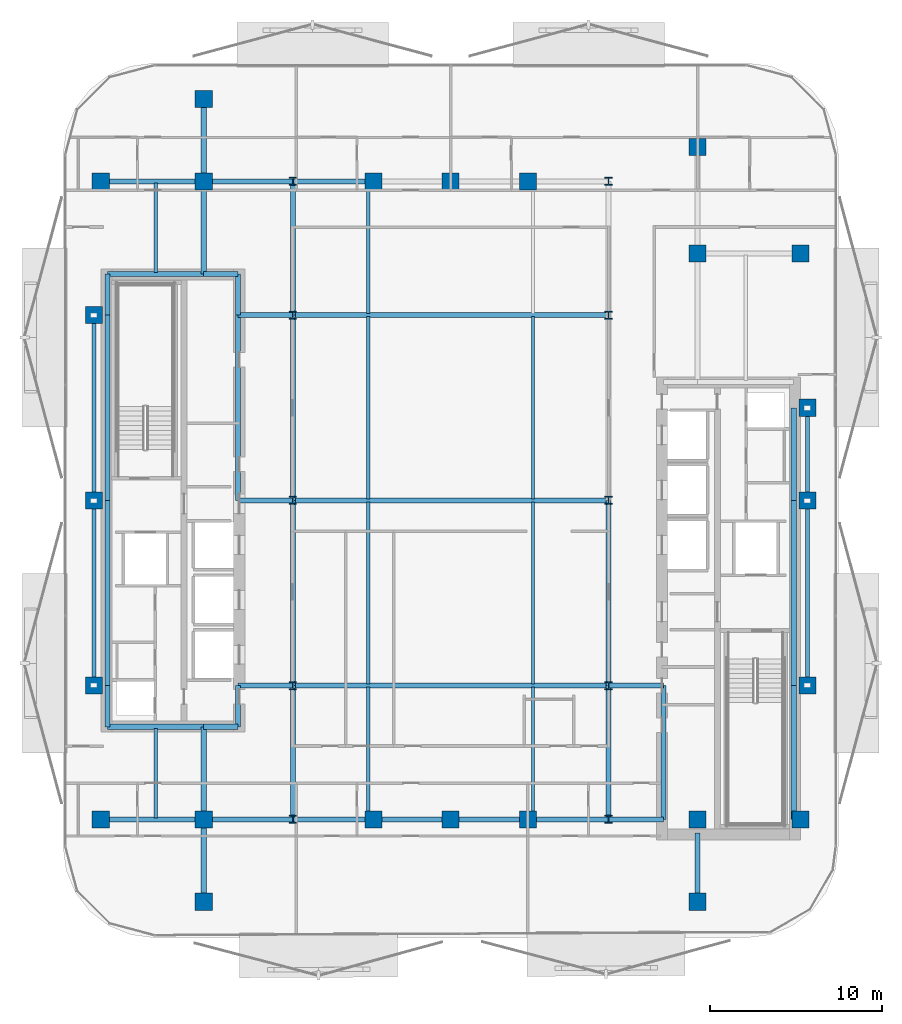
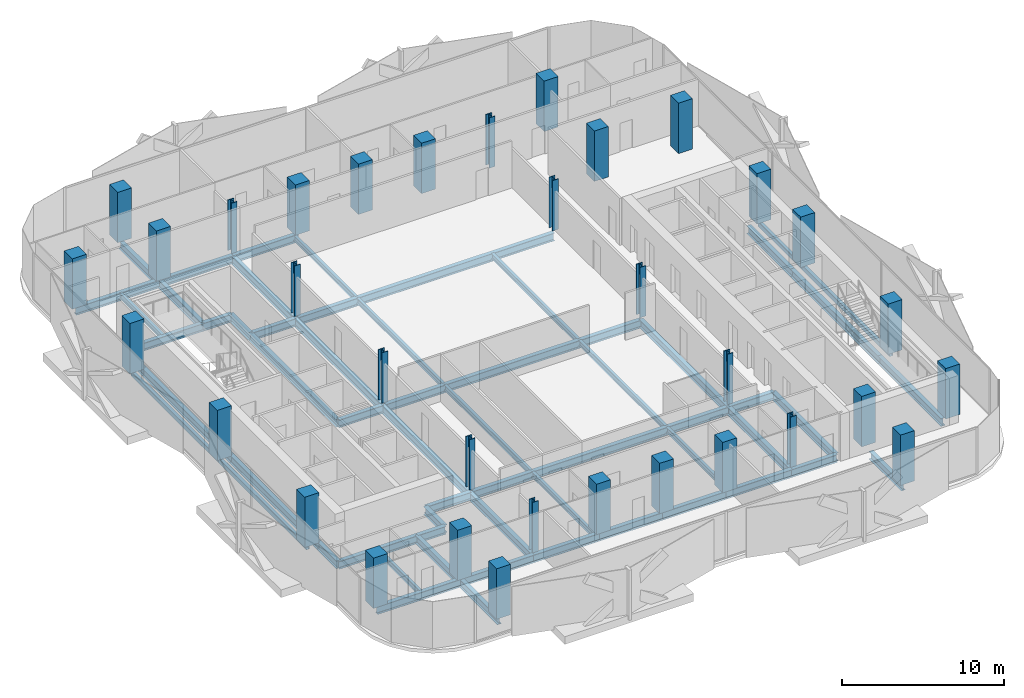
# One storey, part 1 of 17: 56 beams, 34 columns.
"""IFC4 building model written with IfcOpenShell, lengths in metres."""

import ifcopenshell
import ifcopenshell.guid

model = None  # the IFC model being written
_history = None  # IfcOwnerHistory: only IFC2X3 demands one
_inside = {}  # id of a spatial element -> (the spatial element, [elements in it])
_under = {}  # id of a project, library or spatial element -> (it, [spatial elements below it])
_declared = {}  # id of a project -> (the project, [libraries it declares])
_typed = {}  # id of a type object -> (the type object, [elements of that type])
_made_of = {}  # id of a material, layer set ... -> (it, [elements and type objects made of it])


def new_model(schema):
    """Start an empty IFC model of exactly this schema.

    Asked for "IFC4X3", IfcOpenShell would pick the latest addendum, in which some entities
    have other attributes; the version numbers below select the first issue.
    IFC2X3 requires an IfcOwnerHistory on every rooted entity: one is made here for all.
    """
    global model, _history
    if schema == "IFC4X3":
        model = ifcopenshell.file(schema_version=(4, 3, 0, 0))
    else:
        model = ifcopenshell.file(schema=schema)
    _inside.clear()
    _under.clear()
    _declared.clear()
    _typed.clear()
    _made_of.clear()
    _history = None
    if model.schema == "IFC2X3":
        org = make("IfcOrganization", Name="unknown")
        user = make(
            "IfcPersonAndOrganization",
            ThePerson=make("IfcPerson", FamilyName="unknown"),
            TheOrganization=org,
        )
        app = make(
            "IfcApplication",
            ApplicationDeveloper=org,
            Version="unknown",
            ApplicationFullName="unknown",
            ApplicationIdentifier="unknown",
        )
        _history = make(
            "IfcOwnerHistory",
            OwningUser=user,
            OwningApplication=app,
            ChangeAction="ADDED",
            CreationDate=0,
        )
    return model


def make(cls, **values):
    """One entity of the class cls with the attributes given. An attribute that is None is left unset."""
    return model.create_entity(
        cls, **{name: value for name, value in values.items() if value is not None}
    )


def rooted(cls, **values):
    """An entity with a GlobalId (a new one), such as an element, a storey or a relation."""
    return make(cls, GlobalId=ifcopenshell.guid.new(), OwnerHistory=_history, **values)


def si_unit(unit_type, name, prefix=None):
    """IfcSIUnit, for example si_unit("LENGTHUNIT", "METRE", prefix="MILLI")."""
    return make("IfcSIUnit", UnitType=unit_type, Prefix=prefix, Name=name)


def assignment(units):
    """IfcUnitAssignment: the units of a project."""
    return None if units is None else make("IfcUnitAssignment", Units=units)


def point(xyz):
    """IfcCartesianPoint."""
    return None if xyz is None else make("IfcCartesianPoint", Coordinates=xyz)


def direction(xyz):
    """IfcDirection."""
    return None if xyz is None else make("IfcDirection", DirectionRatios=xyz)


def frame(location, z_axis=None, x_axis=None):
    """IfcAxis2Placement3D, a coordinate frame: its origin and axes. An axis left out is left unset."""
    return make(
        "IfcAxis2Placement3D",
        Location=point(location),
        Axis=direction(z_axis),
        RefDirection=direction(x_axis),
    )


def frame_2d(location, x_axis=None):
    """IfcAxis2Placement2D, a coordinate frame in the plane: its origin and x axis."""
    return make(
        "IfcAxis2Placement2D", Location=point(location), RefDirection=direction(x_axis)
    )


def origin():
    """The frame at (0, 0, 0) with its axes left unset."""
    return frame((0.0, 0.0, 0.0))


def origin_2d():
    """The frame at (0, 0) in the plane with its x axis left unset."""
    return frame_2d((0.0, 0.0))


def place(relative_to, where):
    """IfcLocalPlacement: puts the frame where relative to a parent placement (None: the world)."""
    return make(
        "IfcLocalPlacement", PlacementRelTo=relative_to, RelativePlacement=where
    )


def context(
    kind, dimensions, precision=None, world=None, true_north=None, identifier=None
):
    """IfcGeometricRepresentationContext, for example the 3D "Model" context."""
    return make(
        "IfcGeometricRepresentationContext",
        ContextIdentifier=identifier,
        ContextType=kind,
        CoordinateSpaceDimension=dimensions,
        Precision=precision,
        WorldCoordinateSystem=world,
        TrueNorth=true_north,
    )


def subcontext(parent, identifier, kind, view, scale=None):
    """IfcGeometricRepresentationSubContext, for example "Body" below "Model"."""
    return make(
        "IfcGeometricRepresentationSubContext",
        ContextIdentifier=identifier,
        ContextType=kind,
        ParentContext=parent,
        TargetScale=scale,
        TargetView=view,
    )


def project(units=None, contexts=None):
    """IfcProject with its units and contexts."""
    return rooted(
        "IfcProject",
        Name="project",
        RepresentationContexts=contexts,
        UnitsInContext=assignment(units),
    )


def spatial(cls, under=None, at=None, **own):
    """A site, building, storey or space (cls), placed at a placement, below another one or the project."""
    s = rooted(cls, ObjectPlacement=at, **own)
    if under is not None:
        _under.setdefault(under.id(), (under, []))[1].append(s)
    return s


def profile(cls, at=None, kind="AREA", **sizes):
    """A parametric profile (cls). Its sizes go by their IFC names, for example OverallWidth=200.0."""
    return make(cls, ProfileType=kind, Position=at, **sizes)


def rectangle(**sizes):
    """IfcRectangleProfileDef."""
    return profile("IfcRectangleProfileDef", **sizes)


def hollow_rectangle(**sizes):
    """IfcRectangleHollowProfileDef."""
    return profile("IfcRectangleHollowProfileDef", **sizes)


def i_section(**sizes):
    """IfcIShapeProfileDef."""
    return profile("IfcIShapeProfileDef", **sizes)


def extrude(swept, where, along, depth):
    """IfcExtrudedAreaSolid: the profile swept, set in the frame where, extruded along a direction by depth."""
    return make(
        "IfcExtrudedAreaSolid",
        SweptArea=swept,
        Position=where,
        ExtrudedDirection=direction(along),
        Depth=depth,
    )


def shape(context_of_items, identifier, shape_type, items):
    """IfcShapeRepresentation: the items that make up one representation, for example the "Body"."""
    return make(
        "IfcShapeRepresentation",
        ContextOfItems=context_of_items,
        RepresentationIdentifier=identifier,
        RepresentationType=shape_type,
        Items=items,
    )


def material(Name=None, Category=None):
    """IfcMaterial."""
    return make("IfcMaterial", Name=Name, Category=Category)


def material_profile(
    of_material, cross_section, Name=None, Category=None, Priority=None
):
    """IfcMaterialProfile: a cross section and its material."""
    return make(
        "IfcMaterialProfile",
        Name=Name,
        Material=of_material,
        Profile=cross_section,
        Priority=Priority,
        Category=Category,
    )


def profile_set(profiles, Name=None, composite=None):
    """IfcMaterialProfileSet."""
    return make(
        "IfcMaterialProfileSet",
        Name=Name,
        MaterialProfiles=profiles,
        CompositeProfile=composite,
    )


def made_of(thing, what):
    """Note that an element or type object is made of a material, layer set ...; save() writes the relation."""
    if what is not None:
        _made_of.setdefault(what.id(), (what, []))[1].append(thing)
    return thing


def type_object(cls, material=None, **own):
    """A type object (cls), such as IfcWallType, which elements share."""
    return made_of(rooted(cls, **own), material)


def element(
    cls,
    number,
    at=None,
    inside=None,
    cuts=None,
    type_object=None,
    material=None,
    context=None,
    identifier="Body",
    shape_type=None,
    held_by="IfcProductDefinitionShape",
    body=None,
    shapes=None,
    **own,
):
    """One element of the class cls, such as IfcWall. Its Tag is "e" and its number.

    at: its placement. inside: the storey or other place that contains it. cuts: it is an
    opening in that element (IfcRelVoidsElement). A single representation is given by context,
    identifier, shape_type and body (its items); several are given by shapes. held_by: the class
    of the entity that holds the representations. save() writes the other relations.
    """
    e = rooted(cls, Tag="e%d" % number, ObjectPlacement=at, **own)
    if body is not None:
        shapes = [shape(context, identifier, shape_type, body)]
    if shapes is not None:
        e.Representation = make(held_by, Representations=shapes)
    if inside is not None:
        _inside.setdefault(inside.id(), (inside, []))[1].append(e)
    if cuts is not None:
        rooted(
            "IfcRelVoidsElement", RelatingBuildingElement=cuts, RelatedOpeningElement=e
        )
    if type_object is not None:
        _typed.setdefault(type_object.id(), (type_object, []))[1].append(e)
    return made_of(e, material)


def aggregate(whole, parts):
    """IfcRelAggregates: a whole, such as a stair, and the parts it consists of."""
    return rooted("IfcRelAggregates", RelatingObject=whole, RelatedObjects=parts)


def save(model, path):
    """Write the relations noted so far, then the file.

    IfcRelAggregates (storeys below a building ...), IfcRelContainedInSpatialStructure (elements
    in a storey), IfcRelDefinesByType, IfcRelAssociatesMaterial and IfcRelDeclares: one each for
    every whole, place, type object, material and project.
    """
    for whole, parts in _under.values():
        aggregate(whole, parts)
    for where, things in _inside.values():
        rooted(
            "IfcRelContainedInSpatialStructure",
            RelatedElements=things,
            RelatingStructure=where,
        )
    for kind, things in _typed.values():
        rooted("IfcRelDefinesByType", RelatedObjects=things, RelatingType=kind)
    for what, things in _made_of.values():
        rooted("IfcRelAssociatesMaterial", RelatedObjects=things, RelatingMaterial=what)
    for by, libraries in _declared.values():
        rooted("IfcRelDeclares", RelatingContext=by, RelatedDefinitions=libraries)
    model.write(path)


model = new_model("IFC4")

# Units and contexts
model_context = context("Model", 3, precision=1e-05, world=origin(), true_north=direction((0.0, 1.0)))
body_context = subcontext(model_context, "Body", "Model", "MODEL_VIEW")
ifc_project = project(units=[si_unit("LENGTHUNIT", "METRE"), si_unit("AREAUNIT", "SQUARE_METRE"), si_unit("VOLUMEUNIT", "CUBIC_METRE"), si_unit("PLANEANGLEUNIT", "RADIAN"), si_unit("MASSUNIT", "GRAM", prefix="KILO")], contexts=[model_context])

# Site, building, storey
site_placement = place(None, origin())
site = spatial("IfcSite", under=ifc_project, at=site_placement, CompositionType="ELEMENT")
building_placement = place(site_placement, origin())
building = spatial("IfcBuilding", under=site, at=building_placement, Name="Khairoan Windgate Tower", CompositionType="ELEMENT")
storey_placement = place(building_placement, frame((0.0, 0.0, 199.199951171875)))
storey = spatial("IfcBuildingStorey", under=building, at=storey_placement, Name="L46", CompositionType="ELEMENT", Elevation=199.199951171875)

# Columns
ifc_material_1 = material(Name="Concrete C50/60", Category="concrete")
ifc_material_profile_1 = material_profile(ifc_material_1, rectangle(XDim=1.0, YDim=1.0, at=origin_2d()))
ifc_profile_set_1 = profile_set([ifc_material_profile_1], Name="Concrete C50/60")
column_type_1 = type_object("IfcColumnType", Name="Column C-T4 RC1000x1000", PredefinedType="COLUMN", material=ifc_profile_set_1)
for number, where, z_axis, x_axis, name in (
    (1, (-20.39990234375, -18.60009765625, 0.0), (0.0, 0.0, 1.0), (1.0, 0.0, 0.0), "Column L46-11"),
    (2, (-20.39990234375, 18.60009765625, 0.0), (0.0, 0.0, 1.0), (1.0, 0.0, 0.0), "Column L46-12"),
    (3, (20.39990234375, -18.60009765625, 0.0), (0.0, 0.0, 1.0), (1.0, 0.0, 0.0), "Column L46-13"),
    (4, (20.39990234375, 14.39990234375, 0.0), (0.0, 0.0, 1.0), (1.0, 0.0, 0.0), "Column L46-14"),
    (5, (-14.39990234375, -18.60009765625, 0.0), (0.0, 0.0, 1.0), (1.0, 0.0, 0.0), "Column L46-15"),
    (6, (-14.39990234375, 18.60009765625, 0.0), (0.0, 0.0, 1.0), (1.0, 0.0, 0.0), "Column L46-16"),
    (7, (14.39990234375, -18.60009765625, 0.0), (0.0, 0.0, 1.0), (1.0, 0.0, 0.0), "Column L46-17"),
    (8, (14.39990234375, 14.39990234375, 0.0), (0.0, 0.0, 1.0), (1.0, 0.0, 0.0), "Column L46-18"),
    (9, (-4.5, -18.60009765625, 0.0), (0.0, 0.0, 1.0), (1.0, 0.0, 0.0), "Column L46-19"),
    (10, (0.0, -18.60009765625, 0.0), (0.0, 0.0, 1.0), (1.0, 0.0, 0.0), "Column L46-20"),
    (11, (4.5, -18.60009765625, 0.0), (0.0, 0.0, 1.0), (1.0, 0.0, 0.0), "Column L46-21"),
    (12, (-4.5, 18.60009765625, 0.0), (0.0, 0.0, 1.0), (1.0, 0.0, 0.0), "Column L46-22"),
    (13, (0.0, 18.60009765625, 0.0), (0.0, 0.0, 1.0), (1.0, 0.0, 0.0), "Column L46-23"),
    (14, (4.5, 18.60009765625, 0.0), (0.0, 0.0, 1.0), (1.0, 0.0, 0.0), "Column L46-24"),
    (15, (-20.800048828125, -10.800048828125, 0.0), (0.0, 0.0, 1.0), (1.0, 0.0, 0.0), "Column L46-25"),
    (16, (-20.800048828125, 0.0, 0.0), (0.0, 0.0, 1.0), (1.0, 0.0, 0.0), "Column L46-26"),
    (17, (-20.800048828125, 10.800048828125, 0.0), (0.0, 0.0, 1.0), (1.0, 0.0, 0.0), "Column L46-27"),
    (18, (20.800048828125, -10.800048828125, 0.0), (0.0, 0.0, 1.0), (1.0, 0.0, 0.0), "Column L46-28"),
    (19, (20.800048828125, 0.0, 0.0), (0.0, 0.0, 1.0), (1.0, 0.0, 0.0), "Column L46-29"),
    (20, (20.800048828125, 5.39990234375, 0.0), (0.0, 0.0, 1.0), (1.0, 0.0, 0.0), "Column L46-30"),
    (21, (-14.39990234375, -23.39990234375, 0.0), (0.0, 0.0, 1.0), (1.0, 0.0, 0.0), "Column L46-31"),
    (22, (-14.39990234375, 23.39990234375, 0.0), (0.0, 0.0, 1.0), (1.0, 0.0, 0.0), "Column L46-32"),
    (23, (14.39990234375, -23.39990234375, 0.0), (0.0, 0.0, 1.0), (1.0, 0.0, 0.0), "Column L46-33"),
    (24, (14.39990234375, 20.60009765625, 0.0), (0.0, 0.0, 1.0), (1.0, 0.0, 0.0), "Column L46-34"),
):
    element("IfcColumn", number, at=place(storey_placement, frame(where, z_axis=z_axis, x_axis=x_axis)), inside=storey, type_object=column_type_1, Name=name, PredefinedType="COLUMN", context=body_context, shape_type="SweptSolid", body=[
        extrude(rectangle(XDim=1.0, YDim=1.0, at=origin_2d()), origin(), (0.0, 0.0, 1.0), 3.800048828125),
    ])
ifc_material_2 = material(Name="Steel S355", Category="steel")
ifc_material_profile_2 = material_profile(ifc_material_2, i_section(OverallWidth=0.4169921875, OverallDepth=0.4580078125, WebThickness=0.030029296875, FlangeThickness=0.050048828125, FilletRadius=0.02197265625, at=origin_2d()))
ifc_profile_set_2 = profile_set([ifc_material_profile_2], Name="Steel S355")
column_type_2 = type_object("IfcColumnType", Name="Steel Column SC2 H458x417x30x50", PredefinedType="COLUMN", material=ifc_profile_set_2)
for number, where, z_axis, x_axis, name in (
    (25, (-9.199951171875, -18.60009765625, 0.0), (0.0, 0.0, 1.0), (1.0, 0.0, 0.0), "Column L46-01"),
    (26, (-9.199951171875, -10.800048828125, 0.0), (0.0, 0.0, 1.0), (1.0, 0.0, 0.0), "Column L46-02"),
    (27, (-9.199951171875, 0.0, 0.0), (0.0, 0.0, 1.0), (1.0, 0.0, 0.0), "Column L46-03"),
    (28, (-9.199951171875, 10.800048828125, 0.0), (0.0, 0.0, 1.0), (1.0, 0.0, 0.0), "Column L46-04"),
    (29, (-9.199951171875, 18.60009765625, 0.0), (0.0, 0.0, 1.0), (1.0, 0.0, 0.0), "Column L46-05"),
    (30, (9.199951171875, -18.60009765625, 0.0), (0.0, 0.0, 1.0), (1.0, 0.0, 0.0), "Column L46-06"),
    (31, (9.199951171875, -10.800048828125, 0.0), (0.0, 0.0, 1.0), (1.0, 0.0, 0.0), "Column L46-07"),
    (32, (9.199951171875, 0.0, 0.0), (0.0, 0.0, 1.0), (1.0, 0.0, 0.0), "Column L46-08"),
    (33, (9.199951171875, 10.800048828125, 0.0), (0.0, 0.0, 1.0), (1.0, 0.0, 0.0), "Column L46-09"),
    (34, (9.199951171875, 18.60009765625, 0.0), (0.0, 0.0, 1.0), (1.0, 0.0, 0.0), "Column L46-10"),
):
    element("IfcColumn", number, at=place(storey_placement, frame(where, z_axis=z_axis, x_axis=x_axis)), inside=storey, type_object=column_type_2, Name=name, PredefinedType="COLUMN", context=body_context, shape_type="SweptSolid", body=[
        extrude(i_section(OverallWidth=0.4169921875, OverallDepth=0.4580078125, WebThickness=0.030029296875, FlangeThickness=0.050048828125, FilletRadius=0.02197265625, at=origin_2d()), origin(), (0.0, 0.0, 1.0), 3.800048828125),
    ])

# Beams
ifc_material_3 = material(Name="Steel S355", Category="steel")
ifc_material_profile_3 = material_profile(ifc_material_3, i_section(OverallWidth=0.300048828125, OverallDepth=0.587890625, WebThickness=0.011962890625, FlangeThickness=0.02001953125, FilletRadius=0.02392578125, at=origin_2d()))
ifc_profile_set_3 = profile_set([ifc_material_profile_3], Name="Steel S355")
beam_type_1 = type_object("IfcBeamType", Name="Beam B-G4 H588x300x12x20", PredefinedType="BEAM", material=ifc_profile_set_3)
beam_1_placement = place(storey_placement, frame((-20.39990234375, -18.60009765625, -0.553955078125), z_axis=(1.0, 0.0, 0.0), x_axis=(0.0, 1.0, 0.0)))
element("IfcBeam", 35, at=beam_1_placement, inside=storey, type_object=beam_type_1, Name="L46 E-W Primary Girder 01", PredefinedType="BEAM", context=body_context, shape_type="SweptSolid", body=[
    extrude(i_section(OverallWidth=0.300048828125, OverallDepth=0.587890625, WebThickness=0.011962890625, FlangeThickness=0.02001953125, FilletRadius=0.02392578125, at=origin_2d()), origin(), (0.0, 0.0, 1.0), 6.0),
])
beam_2_placement = place(storey_placement, frame((-14.39990234375, -18.60009765625, -0.553955078125), z_axis=(1.0, 0.0, 0.0), x_axis=(0.0, 1.0, 0.0)))
element("IfcBeam", 36, at=beam_2_placement, inside=storey, type_object=beam_type_1, Name="L46 E-W Primary Girder 02", PredefinedType="BEAM", context=body_context, shape_type="SweptSolid", body=[
    extrude(i_section(OverallWidth=0.300048828125, OverallDepth=0.587890625, WebThickness=0.011962890625, FlangeThickness=0.02001953125, FilletRadius=0.02392578125, at=origin_2d()), origin(), (0.0, 0.0, 1.0), 5.199951171875),
])
beam_3_placement = place(storey_placement, frame((-9.199951171875, -18.60009765625, -0.553955078125), z_axis=(1.0, 0.0, 0.0), x_axis=(0.0, 1.0, 0.0)))
element("IfcBeam", 37, at=beam_3_placement, inside=storey, type_object=beam_type_1, Name="L46 E-W Primary Girder 03", PredefinedType="BEAM", context=body_context, shape_type="SweptSolid", body=[
    extrude(i_section(OverallWidth=0.300048828125, OverallDepth=0.587890625, WebThickness=0.011962890625, FlangeThickness=0.02001953125, FilletRadius=0.02392578125, at=origin_2d()), origin(), (0.0, 0.0, 1.0), 4.699951171875),
])
for number, where, z_axis, x_axis, name in (
    (38, (-4.5, -18.60009765625, -0.553955078125), (1.0, 0.0, 0.0), (0.0, 1.0, 0.0), "L46 E-W Primary Girder 04"),
    (39, (0.0, -18.60009765625, -0.553955078125), (1.0, 0.0, 0.0), (0.0, 1.0, 0.0), "L46 E-W Primary Girder 05"),
):
    element("IfcBeam", number, at=place(storey_placement, frame(where, z_axis=z_axis, x_axis=x_axis)), inside=storey, type_object=beam_type_1, Name=name, PredefinedType="BEAM", context=body_context, shape_type="SweptSolid", body=[
        extrude(i_section(OverallWidth=0.300048828125, OverallDepth=0.587890625, WebThickness=0.011962890625, FlangeThickness=0.02001953125, FilletRadius=0.02392578125, at=origin_2d()), origin(), (0.0, 0.0, 1.0), 4.5),
    ])
beam_4_placement = place(storey_placement, frame((4.5, -18.60009765625, -0.553955078125), z_axis=(1.0, 0.0, 0.0), x_axis=(0.0, 1.0, 0.0)))
element("IfcBeam", 40, at=beam_4_placement, inside=storey, type_object=beam_type_1, Name="L46 E-W Primary Girder 06", PredefinedType="BEAM", context=body_context, shape_type="SweptSolid", body=[
    extrude(i_section(OverallWidth=0.300048828125, OverallDepth=0.587890625, WebThickness=0.011962890625, FlangeThickness=0.02001953125, FilletRadius=0.02392578125, at=origin_2d()), origin(), (0.0, 0.0, 1.0), 4.699951171875),
])
beam_5_placement = place(storey_placement, frame((9.199951171875, -18.60009765625, -0.553955078125), z_axis=(1.0, 0.0, 0.0), x_axis=(0.0, 1.0, 0.0)))
element("IfcBeam", 41, at=beam_5_placement, inside=storey, type_object=beam_type_1, Name="L46 E-W Primary Girder 07", PredefinedType="BEAM", context=body_context, shape_type="SweptSolid", body=[
    extrude(i_section(OverallWidth=0.300048828125, OverallDepth=0.587890625, WebThickness=0.011962890625, FlangeThickness=0.02001953125, FilletRadius=0.02392578125, at=origin_2d()), origin(), (0.0, 0.0, 1.0), 3.199951171875),
])
beam_6_placement = place(storey_placement, frame((-20.0, -13.199951171875, -0.553955078125), z_axis=(1.0, 0.0, 0.0), x_axis=(0.0, 1.0, 0.0)))
element("IfcBeam", 42, at=beam_6_placement, inside=storey, type_object=beam_type_1, Name="L46 E-W Primary Girder 08", PredefinedType="BEAM", context=body_context, shape_type="SweptSolid", body=[
    extrude(i_section(OverallWidth=0.300048828125, OverallDepth=0.587890625, WebThickness=0.011962890625, FlangeThickness=0.02001953125, FilletRadius=0.02392578125, at=origin_2d()), origin(), (0.0, 0.0, 1.0), 5.60009765625),
])
beam_7_placement = place(storey_placement, frame((-14.39990234375, -13.199951171875, -0.553955078125), z_axis=(1.0, 0.0, 0.0), x_axis=(0.0, 1.0, 0.0)))
element("IfcBeam", 43, at=beam_7_placement, inside=storey, type_object=beam_type_1, Name="L46 E-W Primary Girder 09", PredefinedType="BEAM", context=body_context, shape_type="SweptSolid", body=[
    extrude(i_section(OverallWidth=0.300048828125, OverallDepth=0.587890625, WebThickness=0.011962890625, FlangeThickness=0.02001953125, FilletRadius=0.02392578125, at=origin_2d()), origin(), (0.0, 0.0, 1.0), 2.0),
])
beam_8_placement = place(storey_placement, frame((-12.39990234375, -10.800048828125, -0.553955078125), z_axis=(1.0, 0.0, 0.0), x_axis=(0.0, 1.0, 0.0)))
element("IfcBeam", 44, at=beam_8_placement, inside=storey, type_object=beam_type_1, Name="L46 E-W Primary Girder 10", PredefinedType="BEAM", context=body_context, shape_type="SweptSolid", body=[
    extrude(i_section(OverallWidth=0.300048828125, OverallDepth=0.587890625, WebThickness=0.011962890625, FlangeThickness=0.02001953125, FilletRadius=0.02392578125, at=origin_2d()), origin(), (0.0, 0.0, 1.0), 3.199951171875),
])
beam_9_placement = place(storey_placement, frame((-9.199951171875, -10.800048828125, -0.553955078125), z_axis=(1.0, 0.0, 0.0), x_axis=(0.0, 1.0, 0.0)))
element("IfcBeam", 45, at=beam_9_placement, inside=storey, type_object=beam_type_1, Name="L46 E-W Primary Girder 11", PredefinedType="BEAM", context=body_context, shape_type="SweptSolid", body=[
    extrude(i_section(OverallWidth=0.300048828125, OverallDepth=0.587890625, WebThickness=0.011962890625, FlangeThickness=0.02001953125, FilletRadius=0.02392578125, at=origin_2d()), origin(), (0.0, 0.0, 1.0), 18.39990234375),
])
for number, where, z_axis, x_axis, name in (
    (46, (9.199951171875, -10.800048828125, -0.553955078125), (1.0, 0.0, 0.0), (0.0, 1.0, 0.0), "L46 E-W Primary Girder 12"),
    (47, (-12.39990234375, 0.0, -0.553955078125), (1.0, 0.0, 0.0), (0.0, 1.0, 0.0), "L46 E-W Primary Girder 13"),
):
    element("IfcBeam", number, at=place(storey_placement, frame(where, z_axis=z_axis, x_axis=x_axis)), inside=storey, type_object=beam_type_1, Name=name, PredefinedType="BEAM", context=body_context, shape_type="SweptSolid", body=[
        extrude(i_section(OverallWidth=0.300048828125, OverallDepth=0.587890625, WebThickness=0.011962890625, FlangeThickness=0.02001953125, FilletRadius=0.02392578125, at=origin_2d()), origin(), (0.0, 0.0, 1.0), 3.199951171875),
    ])
beam_10_placement = place(storey_placement, frame((-9.199951171875, 0.0, -0.553955078125), z_axis=(1.0, 0.0, 0.0), x_axis=(0.0, 1.0, 0.0)))
element("IfcBeam", 48, at=beam_10_placement, inside=storey, type_object=beam_type_1, Name="L46 E-W Primary Girder 14", PredefinedType="BEAM", context=body_context, shape_type="SweptSolid", body=[
    extrude(i_section(OverallWidth=0.300048828125, OverallDepth=0.587890625, WebThickness=0.011962890625, FlangeThickness=0.02001953125, FilletRadius=0.02392578125, at=origin_2d()), origin(), (0.0, 0.0, 1.0), 18.39990234375),
])
beam_11_placement = place(storey_placement, frame((-12.39990234375, 10.800048828125, -0.553955078125), z_axis=(1.0, 0.0, 0.0), x_axis=(0.0, 1.0, 0.0)))
element("IfcBeam", 49, at=beam_11_placement, inside=storey, type_object=beam_type_1, Name="L46 E-W Primary Girder 17", PredefinedType="BEAM", context=body_context, shape_type="SweptSolid", body=[
    extrude(i_section(OverallWidth=0.300048828125, OverallDepth=0.587890625, WebThickness=0.011962890625, FlangeThickness=0.02001953125, FilletRadius=0.02392578125, at=origin_2d()), origin(), (0.0, 0.0, 1.0), 3.199951171875),
])
beam_12_placement = place(storey_placement, frame((-9.199951171875, 10.800048828125, -0.553955078125), z_axis=(1.0, 0.0, 0.0), x_axis=(0.0, 1.0, 0.0)))
element("IfcBeam", 50, at=beam_12_placement, inside=storey, type_object=beam_type_1, Name="L46 E-W Primary Girder 18", PredefinedType="BEAM", context=body_context, shape_type="SweptSolid", body=[
    extrude(i_section(OverallWidth=0.300048828125, OverallDepth=0.587890625, WebThickness=0.011962890625, FlangeThickness=0.02001953125, FilletRadius=0.02392578125, at=origin_2d()), origin(), (0.0, 0.0, 1.0), 18.39990234375),
])
beam_13_placement = place(storey_placement, frame((-20.0, 13.199951171875, -0.553955078125), z_axis=(1.0, 0.0, 0.0), x_axis=(0.0, 1.0, 0.0)))
element("IfcBeam", 51, at=beam_13_placement, inside=storey, type_object=beam_type_1, Name="L46 E-W Primary Girder 19", PredefinedType="BEAM", context=body_context, shape_type="SweptSolid", body=[
    extrude(i_section(OverallWidth=0.300048828125, OverallDepth=0.587890625, WebThickness=0.011962890625, FlangeThickness=0.02001953125, FilletRadius=0.02392578125, at=origin_2d()), origin(), (0.0, 0.0, 1.0), 5.60009765625),
])
beam_14_placement = place(storey_placement, frame((-14.39990234375, 13.199951171875, -0.553955078125), z_axis=(1.0, 0.0, 0.0), x_axis=(0.0, 1.0, 0.0)))
element("IfcBeam", 52, at=beam_14_placement, inside=storey, type_object=beam_type_1, Name="L46 E-W Primary Girder 20", PredefinedType="BEAM", context=body_context, shape_type="SweptSolid", body=[
    extrude(i_section(OverallWidth=0.300048828125, OverallDepth=0.587890625, WebThickness=0.011962890625, FlangeThickness=0.02001953125, FilletRadius=0.02392578125, at=origin_2d()), origin(), (0.0, 0.0, 1.0), 2.0),
])
beam_15_placement = place(storey_placement, frame((-20.39990234375, 18.60009765625, -0.553955078125), z_axis=(1.0, 0.0, 0.0), x_axis=(0.0, 1.0, 0.0)))
element("IfcBeam", 53, at=beam_15_placement, inside=storey, type_object=beam_type_1, Name="L46 E-W Primary Girder 22", PredefinedType="BEAM", context=body_context, shape_type="SweptSolid", body=[
    extrude(i_section(OverallWidth=0.300048828125, OverallDepth=0.587890625, WebThickness=0.011962890625, FlangeThickness=0.02001953125, FilletRadius=0.02392578125, at=origin_2d()), origin(), (0.0, 0.0, 1.0), 6.0),
])
beam_16_placement = place(storey_placement, frame((-14.39990234375, 18.60009765625, -0.553955078125), z_axis=(1.0, 0.0, 0.0), x_axis=(0.0, 1.0, 0.0)))
element("IfcBeam", 54, at=beam_16_placement, inside=storey, type_object=beam_type_1, Name="L46 E-W Primary Girder 23", PredefinedType="BEAM", context=body_context, shape_type="SweptSolid", body=[
    extrude(i_section(OverallWidth=0.300048828125, OverallDepth=0.587890625, WebThickness=0.011962890625, FlangeThickness=0.02001953125, FilletRadius=0.02392578125, at=origin_2d()), origin(), (0.0, 0.0, 1.0), 5.199951171875),
])
beam_17_placement = place(storey_placement, frame((-9.199951171875, 18.60009765625, -0.553955078125), z_axis=(1.0, 0.0, 0.0), x_axis=(0.0, 1.0, 0.0)))
element("IfcBeam", 55, at=beam_17_placement, inside=storey, type_object=beam_type_1, Name="L46 E-W Primary Girder 24", PredefinedType="BEAM", context=body_context, shape_type="SweptSolid", body=[
    extrude(i_section(OverallWidth=0.300048828125, OverallDepth=0.587890625, WebThickness=0.011962890625, FlangeThickness=0.02001953125, FilletRadius=0.02392578125, at=origin_2d()), origin(), (0.0, 0.0, 1.0), 4.699951171875),
])
beam_18_placement = place(storey_placement, frame((-20.0, -13.199951171875, -0.553955078125), z_axis=(0.0, 1.0, 0.0), x_axis=(-1.0, 0.0, 0.0)))
element("IfcBeam", 56, at=beam_18_placement, inside=storey, type_object=beam_type_1, Name="L46 N-S Primary Beam 30", PredefinedType="BEAM", context=body_context, shape_type="SweptSolid", body=[
    extrude(i_section(OverallWidth=0.300048828125, OverallDepth=0.587890625, WebThickness=0.011962890625, FlangeThickness=0.02001953125, FilletRadius=0.02392578125, at=origin_2d()), origin(), (0.0, 0.0, 1.0), 2.39990234375),
])
for number, where, z_axis, x_axis, name in (
    (57, (-20.0, -10.800048828125, -0.553955078125), (0.0, 1.0, 0.0), (-1.0, 0.0, 0.0), "L46 N-S Primary Beam 31"),
    (58, (-20.0, 0.0, -0.553955078125), (0.0, 1.0, 0.0), (-1.0, 0.0, 0.0), "L46 N-S Primary Beam 32"),
):
    element("IfcBeam", number, at=place(storey_placement, frame(where, z_axis=z_axis, x_axis=x_axis)), inside=storey, type_object=beam_type_1, Name=name, PredefinedType="BEAM", context=body_context, shape_type="SweptSolid", body=[
        extrude(i_section(OverallWidth=0.300048828125, OverallDepth=0.587890625, WebThickness=0.011962890625, FlangeThickness=0.02001953125, FilletRadius=0.02392578125, at=origin_2d()), origin(), (0.0, 0.0, 1.0), 10.800048828125),
    ])
beam_19_placement = place(storey_placement, frame((-20.0, 10.800048828125, -0.553955078125), z_axis=(0.0, 1.0, 0.0), x_axis=(-1.0, 0.0, 0.0)))
element("IfcBeam", 59, at=beam_19_placement, inside=storey, type_object=beam_type_1, Name="L46 N-S Primary Beam 33", PredefinedType="BEAM", context=body_context, shape_type="SweptSolid", body=[
    extrude(i_section(OverallWidth=0.300048828125, OverallDepth=0.587890625, WebThickness=0.011962890625, FlangeThickness=0.02001953125, FilletRadius=0.02392578125, at=origin_2d()), origin(), (0.0, 0.0, 1.0), 2.39990234375),
])
beam_20_placement = place(storey_placement, frame((-14.39990234375, -23.39990234375, -0.553955078125), z_axis=(0.0, 1.0, 0.0), x_axis=(-1.0, 0.0, 0.0)))
element("IfcBeam", 60, at=beam_20_placement, inside=storey, type_object=beam_type_1, Name="L46 N-S Primary Beam 34", PredefinedType="BEAM", context=body_context, shape_type="SweptSolid", body=[
    extrude(i_section(OverallWidth=0.300048828125, OverallDepth=0.587890625, WebThickness=0.011962890625, FlangeThickness=0.02001953125, FilletRadius=0.02392578125, at=origin_2d()), origin(), (0.0, 0.0, 1.0), 4.7998046875),
])
for number, where, z_axis, x_axis, name in (
    (61, (-14.39990234375, -18.60009765625, -0.553955078125), (0.0, 1.0, 0.0), (-1.0, 0.0, 0.0), "L46 N-S Primary Beam 35"),
    (62, (-14.39990234375, 13.199951171875, -0.553955078125), (0.0, 1.0, 0.0), (-1.0, 0.0, 0.0), "L46 N-S Primary Beam 36"),
):
    element("IfcBeam", number, at=place(storey_placement, frame(where, z_axis=z_axis, x_axis=x_axis)), inside=storey, type_object=beam_type_1, Name=name, PredefinedType="BEAM", context=body_context, shape_type="SweptSolid", body=[
        extrude(i_section(OverallWidth=0.300048828125, OverallDepth=0.587890625, WebThickness=0.011962890625, FlangeThickness=0.02001953125, FilletRadius=0.02392578125, at=origin_2d()), origin(), (0.0, 0.0, 1.0), 5.400146484375),
    ])
beam_21_placement = place(storey_placement, frame((-14.39990234375, 18.60009765625, -0.553955078125), z_axis=(0.0, 1.0, 0.0), x_axis=(-1.0, 0.0, 0.0)))
element("IfcBeam", 63, at=beam_21_placement, inside=storey, type_object=beam_type_1, Name="L46 N-S Primary Beam 37", PredefinedType="BEAM", context=body_context, shape_type="SweptSolid", body=[
    extrude(i_section(OverallWidth=0.300048828125, OverallDepth=0.587890625, WebThickness=0.011962890625, FlangeThickness=0.02001953125, FilletRadius=0.02392578125, at=origin_2d()), origin(), (0.0, 0.0, 1.0), 4.7998046875),
])
beam_22_placement = place(storey_placement, frame((-12.39990234375, -13.199951171875, -0.553955078125), z_axis=(0.0, 1.0, 0.0), x_axis=(-1.0, 0.0, 0.0)))
element("IfcBeam", 64, at=beam_22_placement, inside=storey, type_object=beam_type_1, Name="L46 N-S Primary Beam 38", PredefinedType="BEAM", context=body_context, shape_type="SweptSolid", body=[
    extrude(i_section(OverallWidth=0.300048828125, OverallDepth=0.587890625, WebThickness=0.011962890625, FlangeThickness=0.02001953125, FilletRadius=0.02392578125, at=origin_2d()), origin(), (0.0, 0.0, 1.0), 2.39990234375),
])
beam_23_placement = place(storey_placement, frame((-12.39990234375, 0.0, -0.553955078125), z_axis=(0.0, 1.0, 0.0), x_axis=(-1.0, 0.0, 0.0)))
element("IfcBeam", 65, at=beam_23_placement, inside=storey, type_object=beam_type_1, Name="L46 N-S Primary Beam 39", PredefinedType="BEAM", context=body_context, shape_type="SweptSolid", body=[
    extrude(i_section(OverallWidth=0.300048828125, OverallDepth=0.587890625, WebThickness=0.011962890625, FlangeThickness=0.02001953125, FilletRadius=0.02392578125, at=origin_2d()), origin(), (0.0, 0.0, 1.0), 10.800048828125),
])
beam_24_placement = place(storey_placement, frame((-12.39990234375, 10.800048828125, -0.553955078125), z_axis=(0.0, 1.0, 0.0), x_axis=(-1.0, 0.0, 0.0)))
element("IfcBeam", 66, at=beam_24_placement, inside=storey, type_object=beam_type_1, Name="L46 N-S Primary Beam 40", PredefinedType="BEAM", context=body_context, shape_type="SweptSolid", body=[
    extrude(i_section(OverallWidth=0.300048828125, OverallDepth=0.587890625, WebThickness=0.011962890625, FlangeThickness=0.02001953125, FilletRadius=0.02392578125, at=origin_2d()), origin(), (0.0, 0.0, 1.0), 2.39990234375),
])
beam_25_placement = place(storey_placement, frame((-9.199951171875, -18.60009765625, -0.553955078125), z_axis=(0.0, 1.0, 0.0), x_axis=(-1.0, 0.0, 0.0)))
element("IfcBeam", 67, at=beam_25_placement, inside=storey, type_object=beam_type_1, Name="L46 N-S Primary Beam 41", PredefinedType="BEAM", context=body_context, shape_type="SweptSolid", body=[
    extrude(i_section(OverallWidth=0.300048828125, OverallDepth=0.587890625, WebThickness=0.011962890625, FlangeThickness=0.02001953125, FilletRadius=0.02392578125, at=origin_2d()), origin(), (0.0, 0.0, 1.0), 7.800048828125),
])
for number, where, z_axis, x_axis, name in (
    (68, (-9.199951171875, -10.800048828125, -0.553955078125), (0.0, 1.0, 0.0), (-1.0, 0.0, 0.0), "L46 N-S Primary Beam 42"),
    (69, (-9.199951171875, 0.0, -0.553955078125), (0.0, 1.0, 0.0), (-1.0, 0.0, 0.0), "L46 N-S Primary Beam 43"),
):
    element("IfcBeam", number, at=place(storey_placement, frame(where, z_axis=z_axis, x_axis=x_axis)), inside=storey, type_object=beam_type_1, Name=name, PredefinedType="BEAM", context=body_context, shape_type="SweptSolid", body=[
        extrude(i_section(OverallWidth=0.300048828125, OverallDepth=0.587890625, WebThickness=0.011962890625, FlangeThickness=0.02001953125, FilletRadius=0.02392578125, at=origin_2d()), origin(), (0.0, 0.0, 1.0), 10.800048828125),
    ])
for number, where, z_axis, x_axis, name in (
    (70, (-9.199951171875, 10.800048828125, -0.553955078125), (0.0, 1.0, 0.0), (-1.0, 0.0, 0.0), "L46 N-S Primary Beam 44"),
    (71, (9.199951171875, -18.60009765625, -0.553955078125), (0.0, 1.0, 0.0), (-1.0, 0.0, 0.0), "L46 N-S Primary Beam 45"),
):
    element("IfcBeam", number, at=place(storey_placement, frame(where, z_axis=z_axis, x_axis=x_axis)), inside=storey, type_object=beam_type_1, Name=name, PredefinedType="BEAM", context=body_context, shape_type="SweptSolid", body=[
        extrude(i_section(OverallWidth=0.300048828125, OverallDepth=0.587890625, WebThickness=0.011962890625, FlangeThickness=0.02001953125, FilletRadius=0.02392578125, at=origin_2d()), origin(), (0.0, 0.0, 1.0), 7.800048828125),
    ])
beam_26_placement = place(storey_placement, frame((9.199951171875, -10.800048828125, -0.553955078125), z_axis=(0.0, 1.0, 0.0), x_axis=(-1.0, 0.0, 0.0)))
element("IfcBeam", 72, at=beam_26_placement, inside=storey, type_object=beam_type_1, Name="L46 N-S Primary Beam 46", PredefinedType="BEAM", context=body_context, shape_type="SweptSolid", body=[
    extrude(i_section(OverallWidth=0.300048828125, OverallDepth=0.587890625, WebThickness=0.011962890625, FlangeThickness=0.02001953125, FilletRadius=0.02392578125, at=origin_2d()), origin(), (0.0, 0.0, 1.0), 10.800048828125),
])
beam_27_placement = place(storey_placement, frame((12.39990234375, -18.60009765625, -0.553955078125), z_axis=(0.0, 1.0, 0.0), x_axis=(-1.0, 0.0, 0.0)))
element("IfcBeam", 73, at=beam_27_placement, inside=storey, type_object=beam_type_1, Name="L46 N-S Primary Beam 49", PredefinedType="BEAM", context=body_context, shape_type="SweptSolid", body=[
    extrude(i_section(OverallWidth=0.300048828125, OverallDepth=0.587890625, WebThickness=0.011962890625, FlangeThickness=0.02001953125, FilletRadius=0.02392578125, at=origin_2d()), origin(), (0.0, 0.0, 1.0), 7.800048828125),
])
beam_28_placement = place(storey_placement, frame((14.39990234375, -23.39990234375, -0.553955078125), z_axis=(0.0, 1.0, 0.0), x_axis=(-1.0, 0.0, 0.0)))
element("IfcBeam", 74, at=beam_28_placement, inside=storey, type_object=beam_type_1, Name="L46 N-S Primary Beam 50", PredefinedType="BEAM", context=body_context, shape_type="SweptSolid", body=[
    extrude(i_section(OverallWidth=0.300048828125, OverallDepth=0.587890625, WebThickness=0.011962890625, FlangeThickness=0.02001953125, FilletRadius=0.02392578125, at=origin_2d()), origin(), (0.0, 0.0, 1.0), 4.0),
])
beam_29_placement = place(storey_placement, frame((20.0, -18.60009765625, -0.553955078125), z_axis=(0.0, 1.0, 0.0), x_axis=(-1.0, 0.0, 0.0)))
element("IfcBeam", 75, at=beam_29_placement, inside=storey, type_object=beam_type_1, Name="L46 N-S Primary Beam 53", PredefinedType="BEAM", context=body_context, shape_type="SweptSolid", body=[
    extrude(i_section(OverallWidth=0.300048828125, OverallDepth=0.587890625, WebThickness=0.011962890625, FlangeThickness=0.02001953125, FilletRadius=0.02392578125, at=origin_2d()), origin(), (0.0, 0.0, 1.0), 7.800048828125),
])
beam_30_placement = place(storey_placement, frame((20.0, -10.800048828125, -0.553955078125), z_axis=(0.0, 1.0, 0.0), x_axis=(-1.0, 0.0, 0.0)))
element("IfcBeam", 76, at=beam_30_placement, inside=storey, type_object=beam_type_1, Name="L46 N-S Primary Beam 54", PredefinedType="BEAM", context=body_context, shape_type="SweptSolid", body=[
    extrude(i_section(OverallWidth=0.300048828125, OverallDepth=0.587890625, WebThickness=0.011962890625, FlangeThickness=0.02001953125, FilletRadius=0.02392578125, at=origin_2d()), origin(), (0.0, 0.0, 1.0), 10.800048828125),
])
beam_31_placement = place(storey_placement, frame((20.0, 0.0, -0.553955078125), z_axis=(0.0, 1.0, 0.0), x_axis=(-1.0, 0.0, 0.0)))
element("IfcBeam", 77, at=beam_31_placement, inside=storey, type_object=beam_type_1, Name="L46 N-S Primary Beam 55", PredefinedType="BEAM", context=body_context, shape_type="SweptSolid", body=[
    extrude(i_section(OverallWidth=0.300048828125, OverallDepth=0.587890625, WebThickness=0.011962890625, FlangeThickness=0.02001953125, FilletRadius=0.02392578125, at=origin_2d()), origin(), (0.0, 0.0, 1.0), 5.39990234375),
])
ifc_material_4 = material(Name="Steel S355", Category="steel")
ifc_material_profile_4 = material_profile(ifc_material_4, i_section(OverallWidth=0.199951171875, OverallDepth=0.39990234375, WebThickness=0.008056640625, FlangeThickness=0.012939453125, FilletRadius=0.01611328125, at=origin_2d()))
ifc_profile_set_4 = profile_set([ifc_material_profile_4], Name="Steel S355")
beam_type_2 = type_object("IfcBeamType", Name="Beam J-S4 H400x200x8x13", PredefinedType="JOIST", material=ifc_profile_set_4)
for number, where, z_axis, x_axis, name in (
    (78, (-17.199951171875, -18.510009765625, -0.4599609375), (0.0, 1.0, 0.0), (-1.0, 0.0, 0.0), "L46 Secondary Floor Joist 01"),
    (79, (-17.199951171875, 13.2900390625, -0.4599609375), (0.0, 1.0, 0.0), (-1.0, 0.0, 0.0), "L46 Secondary Floor Joist 02"),
):
    element("IfcBeam", number, at=place(storey_placement, frame(where, z_axis=z_axis, x_axis=x_axis)), inside=storey, type_object=beam_type_2, Name=name, PredefinedType="JOIST", context=body_context, shape_type="SweptSolid", body=[
        extrude(i_section(OverallWidth=0.199951171875, OverallDepth=0.39990234375, WebThickness=0.008056640625, FlangeThickness=0.012939453125, FilletRadius=0.01611328125, at=origin_2d()), origin(), (0.0, 0.0, 1.0), 5.219970703125),
    ])
beam_32_placement = place(storey_placement, frame((-4.800048828125, -18.510009765625, -0.4599609375), z_axis=(0.0, 1.0, 0.0), x_axis=(-1.0, 0.0, 0.0)))
element("IfcBeam", 80, at=beam_32_placement, inside=storey, type_object=beam_type_2, Name="L46 Secondary Floor Joist 03", PredefinedType="JOIST", context=body_context, shape_type="SweptSolid", body=[
    extrude(i_section(OverallWidth=0.199951171875, OverallDepth=0.39990234375, WebThickness=0.008056640625, FlangeThickness=0.012939453125, FilletRadius=0.01611328125, at=origin_2d()), origin(), (0.0, 0.0, 1.0), 7.6201171875),
])
for number, where, z_axis, x_axis, name in (
    (81, (-4.800048828125, -10.7099609375, -0.4599609375), (0.0, 1.0, 0.0), (-1.0, 0.0, 0.0), "L46 Secondary Floor Joist 04"),
    (82, (-4.800048828125, 0.090087890625, -0.4599609375), (0.0, 1.0, 0.0), (-1.0, 0.0, 0.0), "L46 Secondary Floor Joist 05"),
):
    element("IfcBeam", number, at=place(storey_placement, frame(where, z_axis=z_axis, x_axis=x_axis)), inside=storey, type_object=beam_type_2, Name=name, PredefinedType="JOIST", context=body_context, shape_type="SweptSolid", body=[
        extrude(i_section(OverallWidth=0.199951171875, OverallDepth=0.39990234375, WebThickness=0.008056640625, FlangeThickness=0.012939453125, FilletRadius=0.01611328125, at=origin_2d()), origin(), (0.0, 0.0, 1.0), 10.619873046875),
    ])
for number, where, z_axis, x_axis, name in (
    (83, (-4.800048828125, 10.889892578125, -0.4599609375), (0.0, 1.0, 0.0), (-1.0, 0.0, 0.0), "L46 Secondary Floor Joist 06"),
    (84, (4.800048828125, -18.510009765625, -0.4599609375), (0.0, 1.0, 0.0), (-1.0, 0.0, 0.0), "L46 Secondary Floor Joist 07"),
):
    element("IfcBeam", number, at=place(storey_placement, frame(where, z_axis=z_axis, x_axis=x_axis)), inside=storey, type_object=beam_type_2, Name=name, PredefinedType="JOIST", context=body_context, shape_type="SweptSolid", body=[
        extrude(i_section(OverallWidth=0.199951171875, OverallDepth=0.39990234375, WebThickness=0.008056640625, FlangeThickness=0.012939453125, FilletRadius=0.01611328125, at=origin_2d()), origin(), (0.0, 0.0, 1.0), 7.6201171875),
    ])
for number, where, z_axis, x_axis, name in (
    (85, (4.800048828125, -10.7099609375, -0.4599609375), (0.0, 1.0, 0.0), (-1.0, 0.0, 0.0), "L46 Secondary Floor Joist 08"),
    (86, (4.800048828125, 0.090087890625, -0.4599609375), (0.0, 1.0, 0.0), (-1.0, 0.0, 0.0), "L46 Secondary Floor Joist 09"),
):
    element("IfcBeam", number, at=place(storey_placement, frame(where, z_axis=z_axis, x_axis=x_axis)), inside=storey, type_object=beam_type_2, Name=name, PredefinedType="JOIST", context=body_context, shape_type="SweptSolid", body=[
        extrude(i_section(OverallWidth=0.199951171875, OverallDepth=0.39990234375, WebThickness=0.008056640625, FlangeThickness=0.012939453125, FilletRadius=0.01611328125, at=origin_2d()), origin(), (0.0, 0.0, 1.0), 10.619873046875),
    ])
ifc_material_5 = material(Name="Steel S355", Category="steel")
ifc_material_profile_5 = material_profile(ifc_material_5, hollow_rectangle(XDim=0.25, YDim=0.35009765625, WallThickness=0.012451171875, InnerFilletRadius=0.012451171875, OuterFilletRadius=0.02490234375, at=origin_2d()))
ifc_profile_set_5 = profile_set([ifc_material_profile_5], Name="Steel S355")
beam_type_3 = type_object("IfcBeamType", Name="Beam SP-B2 RHS350x250x12.5", PredefinedType="SPANDREL", material=ifc_profile_set_5)
for number, where, z_axis, x_axis, name in (
    (87, (-20.800048828125, -10.800048828125, -0.43505859375), (0.0, 1.0, 0.0), (-1.0, 0.0, 0.0), "L46 Spandrel Beam 28"),
    (88, (-20.800048828125, 0.0, -0.43505859375), (0.0, 1.0, 0.0), (-1.0, 0.0, 0.0), "L46 Spandrel Beam 29"),
    (89, (20.800048828125, -10.800048828125, -0.43505859375), (0.0, 1.0, 0.0), (-1.0, 0.0, 0.0), "L46 Spandrel Beam 56"),
):
    element("IfcBeam", number, at=place(storey_placement, frame(where, z_axis=z_axis, x_axis=x_axis)), inside=storey, type_object=beam_type_3, Name=name, PredefinedType="SPANDREL", context=body_context, shape_type="SweptSolid", body=[
        extrude(hollow_rectangle(XDim=0.25, YDim=0.35009765625, WallThickness=0.012451171875, InnerFilletRadius=0.012451171875, OuterFilletRadius=0.02490234375, at=origin_2d()), origin(), (0.0, 0.0, 1.0), 10.800048828125),
    ])
beam_33_placement = place(storey_placement, frame((20.800048828125, 0.0, -0.43505859375), z_axis=(0.0, 1.0, 0.0), x_axis=(-1.0, 0.0, 0.0)))
element("IfcBeam", 90, at=beam_33_placement, inside=storey, type_object=beam_type_3, Name="L46 Spandrel Beam 57", PredefinedType="SPANDREL", context=body_context, shape_type="SweptSolid", body=[
    extrude(hollow_rectangle(XDim=0.25, YDim=0.35009765625, WallThickness=0.012451171875, InnerFilletRadius=0.012451171875, OuterFilletRadius=0.02490234375, at=origin_2d()), origin(), (0.0, 0.0, 1.0), 5.39990234375),
])

save(model, "model.ifc")
